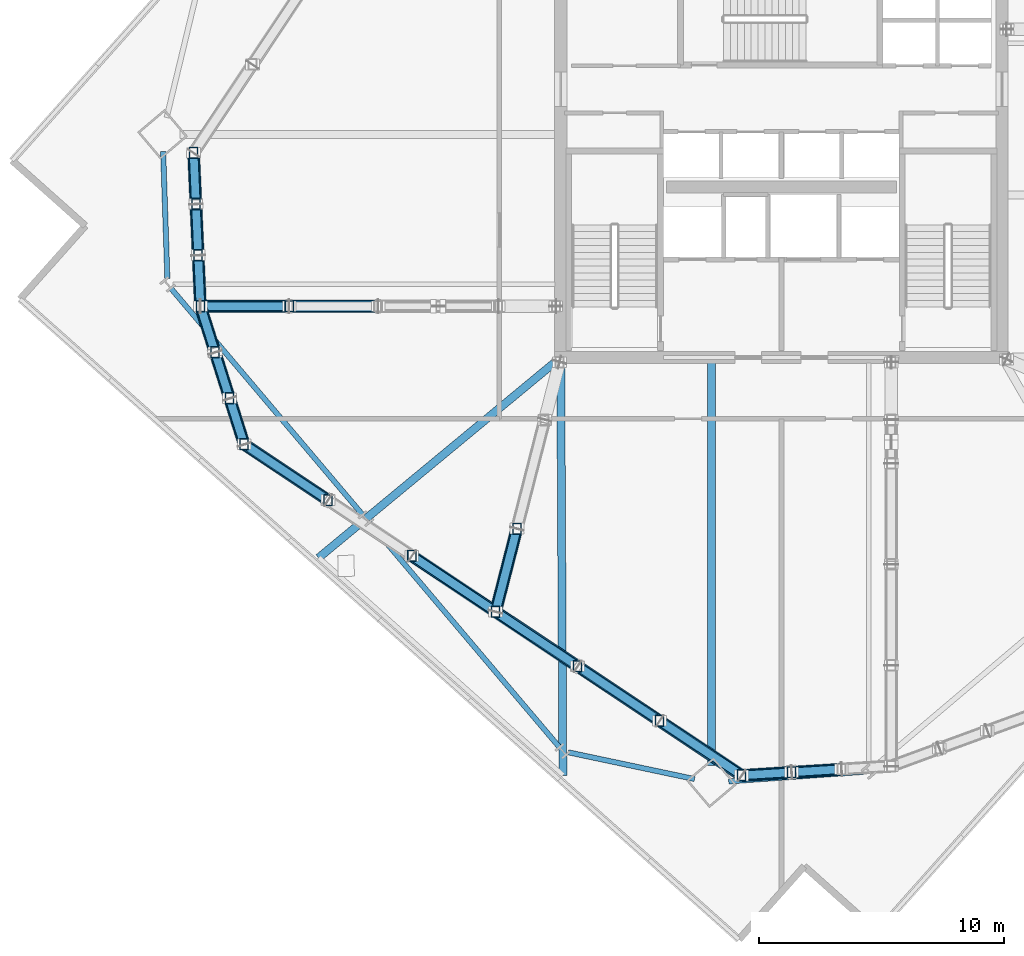
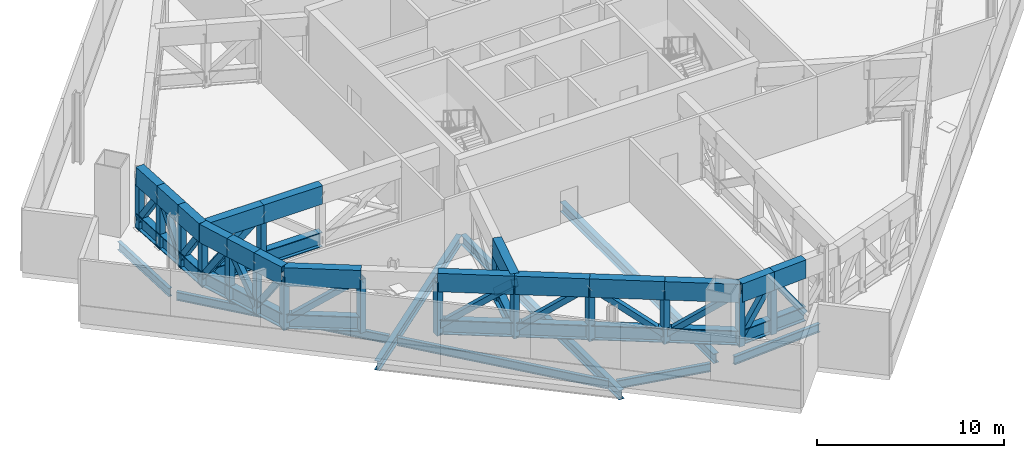
# One storey, part 2 of 18: 63 members, 8 beams.
"""IFC4 building model written with IfcOpenShell, lengths in metres."""

from ifc_helpers import new_model, si_unit, direction, frame, origin, origin_2d, place, context, subcontext, project, spatial, hollow_rectangle, i_section, extrude, material, material_profile, profile_set, type_object, element, save


model = new_model("IFC4")

# Units and contexts
model_context = context("Model", 3, precision=1e-05, world=origin(), true_north=direction((0.0, 1.0)))
body_context = subcontext(model_context, "Body", "Model", "MODEL_VIEW")
ifc_project = project(units=[si_unit("LENGTHUNIT", "METRE"), si_unit("AREAUNIT", "SQUARE_METRE"), si_unit("VOLUMEUNIT", "CUBIC_METRE"), si_unit("PLANEANGLEUNIT", "RADIAN"), si_unit("MASSUNIT", "GRAM", prefix="KILO")], contexts=[model_context])

# Site, building, storey
site_placement = place(None, origin())
site = spatial("IfcSite", under=ifc_project, at=site_placement, CompositionType="ELEMENT")
building_placement = place(site_placement, origin())
building = spatial("IfcBuilding", under=site, at=building_placement, Name="Haldenkirk Collegiate Tower", CompositionType="ELEMENT")
storey_placement = place(building_placement, frame((0.0, 0.0, 189.449951171875)))
storey = spatial("IfcBuildingStorey", under=building, at=storey_placement, Name="L47", CompositionType="ELEMENT", Elevation=189.449951171875)

# Beams
ifc_material_1 = material(Name="Steel ASTM A992 Grade 50", Category="steel")
ifc_material_profile_1 = material_profile(ifc_material_1, i_section(OverallWidth=0.324951171875, OverallDepth=0.615966796875, WebThickness=0.013916015625, FlangeThickness=0.021484375, at=origin_2d()), Name="W24X117")
ifc_profile_set_1 = profile_set([ifc_material_profile_1], Name="Steel ASTM A992 Grade 50")
beam_type_1 = type_object("IfcBeamType", Name="BM-GIRDER-W24X117", PredefinedType="BEAM", material=ifc_profile_set_1)
beam_1_placement = place(storey_placement, frame((33.149169921875, 1.36279296875, -0.718017578125), z_axis=(0.0, 1.0, 0.0), x_axis=(-1.0, 0.0, 0.0)))
element("IfcBeam", 1, at=beam_1_placement, inside=storey, type_object=beam_type_1, Name="L47 primary floor girder 01", PredefinedType="BEAM", context=body_context, shape_type="SweptSolid", body=[
    extrude(i_section(OverallWidth=0.324951171875, OverallDepth=0.615966796875, WebThickness=0.013916015625, FlangeThickness=0.021484375, at=origin_2d()), origin(), (0.0, 0.0, 1.0), 16.4072265625),
])
beam_2_placement = place(storey_placement, frame((17.125244140625, 9.828857421875, -0.718017578125), z_axis=(0.770428156941, 0.63752682688, 0.0), x_axis=(-0.63752682688, 0.770428156941, 0.0)))
element("IfcBeam", 2, at=beam_2_placement, inside=storey, type_object=beam_type_1, Name="L47 primary floor girder 15", PredefinedType="BEAM", context=body_context, shape_type="SweptSolid", body=[
    extrude(i_section(OverallWidth=0.324951171875, OverallDepth=0.615966796875, WebThickness=0.013916015625, FlangeThickness=0.021484375, at=origin_2d()), origin(), (0.0, 0.0, 1.0), 12.587158203125),
])
beam_3_placement = place(storey_placement, frame((27.087890625, 0.952392578125, -0.718017578125), z_axis=(-0.005153448297, 0.999986720897, 0.0), x_axis=(-0.999986720897, -0.005153448297, 0.0)))
element("IfcBeam", 3, at=beam_3_placement, inside=storey, type_object=beam_type_1, Name="L47 primary floor girder 16", PredefinedType="BEAM", context=body_context, shape_type="SweptSolid", body=[
    extrude(i_section(OverallWidth=0.324951171875, OverallDepth=0.615966796875, WebThickness=0.013916015625, FlangeThickness=0.021484375, at=origin_2d()), origin(), (0.0, 0.0, 1.0), 16.81787109375),
])
ifc_material_profile_2 = material_profile(ifc_material_1, i_section(OverallWidth=0.2119140625, OverallDepth=0.5439453125, WebThickness=0.01318359375, FlangeThickness=0.021240234375, at=origin_2d()), Name="W21X83")
ifc_profile_set_2 = profile_set([ifc_material_profile_2], Name="Steel ASTM A992 Grade 50")
beam_type_2 = type_object("IfcBeamType", Name="BM-SPANDREL-W21X83", PredefinedType="SPANDREL", material=ifc_profile_set_2)
beam_4_placement = place(storey_placement, frame((33.852294921875, 0.707763671875, -0.681884765625), z_axis=(0.997489017738, 0.070821320891, 0.0), x_axis=(-0.070821320891, 0.997489017738, 0.0)))
element("IfcBeam", 4, at=beam_4_placement, inside=storey, type_object=beam_type_2, Name="L47 perimeter spandrel beam 01", PredefinedType="SPANDREL", context=body_context, shape_type="SweptSolid", body=[
    extrude(i_section(OverallWidth=0.2119140625, OverallDepth=0.5439453125, WebThickness=0.01318359375, FlangeThickness=0.021240234375, at=origin_2d()), origin(), (0.0, 0.0, 1.0), 5.501953125),
])
beam_5_placement = place(storey_placement, frame((10.7841796875, 26.399169921875, -0.681884765625), z_axis=(0.033072037576, -0.999452970545, 0.0), x_axis=(0.999452970545, 0.033072037576, 0.0)))
element("IfcBeam", 5, at=beam_5_placement, inside=storey, type_object=beam_type_2, Name="L47 perimeter spandrel beam 13", PredefinedType="SPANDREL", context=body_context, shape_type="SweptSolid", body=[
    extrude(i_section(OverallWidth=0.2119140625, OverallDepth=0.5439453125, WebThickness=0.01318359375, FlangeThickness=0.021240234375, at=origin_2d()), origin(), (0.0, 0.0, 1.0), 5.189697265625),
])
beam_6_placement = place(storey_placement, frame((11.111328125, 20.80859375, -0.681884765625), z_axis=(0.646126367676, -0.763230448157, 0.0), x_axis=(0.763230448157, 0.646126367676, 0.0)))
element("IfcBeam", 6, at=beam_6_placement, inside=storey, type_object=beam_type_2, Name="L47 perimeter spandrel beam 14", PredefinedType="SPANDREL", context=body_context, shape_type="SweptSolid", body=[
    extrude(i_section(OverallWidth=0.2119140625, OverallDepth=0.5439453125, WebThickness=0.01318359375, FlangeThickness=0.021240234375, at=origin_2d()), origin(), (0.0, 0.0, 1.0), 12.06494140625),
])
beam_7_placement = place(storey_placement, frame((19.202880859375, 11.250732421875, -0.681884765625), z_axis=(0.646115074743, -0.763240008248, 0.0), x_axis=(0.763240008248, 0.646115074743, 0.0)))
element("IfcBeam", 7, at=beam_7_placement, inside=storey, type_object=beam_type_2, Name="L47 perimeter spandrel beam 15", PredefinedType="SPANDREL", context=body_context, shape_type="SweptSolid", body=[
    extrude(i_section(OverallWidth=0.2119140625, OverallDepth=0.5439453125, WebThickness=0.01318359375, FlangeThickness=0.021240234375, at=origin_2d()), origin(), (0.0, 0.0, 1.0), 11.966796875),
])
beam_8_placement = place(storey_placement, frame((27.306884765625, 1.89501953125, -0.681884765625), z_axis=(0.978307627668, -0.207157393416, 0.0), x_axis=(0.207157393416, 0.978307627668, 0.0)))
element("IfcBeam", 8, at=beam_8_placement, inside=storey, type_object=beam_type_2, Name="L47 perimeter spandrel beam 16", PredefinedType="SPANDREL", context=body_context, shape_type="SweptSolid", body=[
    extrude(i_section(OverallWidth=0.2119140625, OverallDepth=0.5439453125, WebThickness=0.01318359375, FlangeThickness=0.021240234375, at=origin_2d()), origin(), (0.0, 0.0, 1.0), 5.266845703125),
])

# Members
ifc_material_2 = material(Name="Steel ASTM A572 Grade 50", Category="steel")
ifc_material_profile_3 = material_profile(ifc_material_2, hollow_rectangle(XDim=0.5, YDim=1.199951171875, WallThickness=0.050048828125, at=origin_2d()), Name="BOX1200X500X50")
ifc_profile_set_3 = profile_set([ifc_material_profile_3], Name="Steel ASTM A572 Grade 50")
member_type_1 = type_object("IfcMemberType", Name="MBR-CHORD-BOX1200", PredefinedType="CHORD", material=ifc_profile_set_3)
for number, where, z_axis, x_axis, name in (
    (9, (19.55224609375, 20.089599609375, 3.489990234375), (-1.0, 0.0, 0.0), (0.0, -1.0, 0.0), "Outrigger Truss L47 Radial 04 top chord 3"),
    (10, (15.928466796875, 20.089599609375, 3.489990234375), (-1.0, 0.0, 0.0), (0.0, -1.0, 0.0), "Outrigger Truss L47 Radial 04 top chord 4"),
):
    element("IfcMember", number, at=place(storey_placement, frame(where, z_axis=z_axis, x_axis=x_axis)), inside=storey, type_object=member_type_1, Name=name, PredefinedType="CHORD", context=body_context, shape_type="SweptSolid", body=[
        extrude(hollow_rectangle(XDim=0.5, YDim=1.199951171875, WallThickness=0.050048828125, at=origin_2d()), origin(), (0.0, 0.0, 1.0), 3.623779296875),
    ])
member_1_placement = place(storey_placement, frame((25.21240234375, 11.02294921875, 3.489990234375), z_axis=(-0.248241134653, -0.968698270395, 0.0), x_axis=(0.968698270395, -0.248241134653, 0.0)))
element("IfcMember", 11, at=member_1_placement, inside=storey, type_object=member_type_1, Name="Outrigger Truss L47 Radial 08 top chord 3", PredefinedType="CHORD", context=body_context, shape_type="SweptSolid", body=[
    extrude(hollow_rectangle(XDim=0.5, YDim=1.199951171875, WallThickness=0.050048828125, at=origin_2d()), origin(), (0.0, 0.0, 1.0), 3.501220703125),
])
member_2_placement = place(storey_placement, frame((12.025146484375, 26.34716796875, 3.489990234375), z_axis=(0.044665118208, -0.999002015621, 0.0), x_axis=(0.999002015621, 0.044665118208, 0.0)))
element("IfcMember", 12, at=member_2_placement, inside=storey, type_object=member_type_1, Name="Belt Truss L47-12 top chord 1", PredefinedType="CHORD", context=body_context, shape_type="SweptSolid", body=[
    extrude(hollow_rectangle(XDim=0.5, YDim=1.199951171875, WallThickness=0.050048828125, at=origin_2d()), origin(), (0.0, 0.0, 1.0), 2.088134765625),
])
member_3_placement = place(storey_placement, frame((12.118408203125, 24.26123046875, 3.489990234375), z_axis=(0.044553630423, -0.999006993978, 0.0), x_axis=(0.999006993978, 0.044553630423, 0.0)))
element("IfcMember", 13, at=member_3_placement, inside=storey, type_object=member_type_1, Name="Belt Truss L47-12 top chord 2", PredefinedType="CHORD", context=body_context, shape_type="SweptSolid", body=[
    extrude(hollow_rectangle(XDim=0.5, YDim=1.199951171875, WallThickness=0.050048828125, at=origin_2d()), origin(), (0.0, 0.0, 1.0), 2.087646484375),
])
member_4_placement = place(storey_placement, frame((12.21142578125, 22.175537109375, 3.489990234375), z_axis=(0.044665118208, -0.999002015621, 0.0), x_axis=(0.999002015621, 0.044665118208, 0.0)))
element("IfcMember", 14, at=member_4_placement, inside=storey, type_object=member_type_1, Name="Belt Truss L47-12 top chord 3", PredefinedType="CHORD", context=body_context, shape_type="SweptSolid", body=[
    extrude(hollow_rectangle(XDim=0.5, YDim=1.199951171875, WallThickness=0.050048828125, at=origin_2d()), origin(), (0.0, 0.0, 1.0), 2.088134765625),
])
member_5_placement = place(storey_placement, frame((12.3046875, 20.089599609375, 3.489990234375), z_axis=(0.301908607711, -0.953336872564, 0.0), x_axis=(0.953336872564, 0.301908607711, 0.0)))
element("IfcMember", 15, at=member_5_placement, inside=storey, type_object=member_type_1, Name="Belt Truss L47-13 top chord 1", PredefinedType="CHORD", context=body_context, shape_type="SweptSolid", body=[
    extrude(hollow_rectangle(XDim=0.5, YDim=1.199951171875, WallThickness=0.050048828125, at=origin_2d()), origin(), (0.0, 0.0, 1.0), 1.968994140625),
])
member_6_placement = place(storey_placement, frame((12.899169921875, 18.21240234375, 3.489990234375), z_axis=(0.301949909859, -0.95332379176, 0.0), x_axis=(0.95332379176, 0.301949909859, 0.0)))
element("IfcMember", 16, at=member_6_placement, inside=storey, type_object=member_type_1, Name="Belt Truss L47-13 top chord 2", PredefinedType="CHORD", context=body_context, shape_type="SweptSolid", body=[
    extrude(hollow_rectangle(XDim=0.5, YDim=1.199951171875, WallThickness=0.050048828125, at=origin_2d()), origin(), (0.0, 0.0, 1.0), 1.9697265625),
])
member_7_placement = place(storey_placement, frame((13.493896484375, 16.334716796875, 3.489990234375), z_axis=(0.301908607711, -0.953336872564, 0.0), x_axis=(0.953336872564, 0.301908607711, 0.0)))
element("IfcMember", 17, at=member_7_placement, inside=storey, type_object=member_type_1, Name="Belt Truss L47-13 top chord 3", PredefinedType="CHORD", context=body_context, shape_type="SweptSolid", body=[
    extrude(hollow_rectangle(XDim=0.5, YDim=1.199951171875, WallThickness=0.050048828125, at=origin_2d()), origin(), (0.0, 0.0, 1.0), 1.968994140625),
])
member_8_placement = place(storey_placement, frame((14.08837890625, 14.45751953125, 3.489990234375), z_axis=(0.832425099307, -0.55413757682, 0.0), x_axis=(0.55413757682, 0.832425099307, 0.0)))
element("IfcMember", 18, at=member_8_placement, inside=storey, type_object=member_type_1, Name="Belt Truss L47-14 top chord 1", PredefinedType="CHORD", context=body_context, shape_type="SweptSolid", body=[
    extrude(hollow_rectangle(XDim=0.5, YDim=1.199951171875, WallThickness=0.050048828125, at=origin_2d()), origin(), (0.0, 0.0, 1.0), 4.106689453125),
])
member_9_placement = place(storey_placement, frame((20.925048828125, 9.90673828125, 3.489990234375), z_axis=(0.832434267776, -0.554123803705, 0.0), x_axis=(0.554123803705, 0.832434267776, 0.0)))
element("IfcMember", 19, at=member_9_placement, inside=storey, type_object=member_type_1, Name="Belt Truss L47-14 top chord 3", PredefinedType="CHORD", context=body_context, shape_type="SweptSolid", body=[
    extrude(hollow_rectangle(XDim=0.5, YDim=1.199951171875, WallThickness=0.050048828125, at=origin_2d()), origin(), (0.0, 0.0, 1.0), 4.106201171875),
])
for number, where, z_axis, x_axis, name in (
    (20, (24.34326171875, 7.63134765625, 3.489990234375), (0.832433388909, -0.554125123984, 0.0), (0.554125123984, 0.832433388909, 0.0), "Belt Truss L47-15 top chord 1"),
    (21, (27.687744140625, 5.405029296875, 3.489990234375), (0.832433388909, -0.554125123984, 0.0), (0.554125123984, 0.832433388909, 0.0), "Belt Truss L47-15 top chord 2"),
    (22, (31.0322265625, 3.1787109375, 3.489990234375), (0.832433388909, -0.554125123984, 0.0), (0.554125123984, 0.832433388909, 0.0), "Belt Truss L47-15 top chord 3"),
):
    element("IfcMember", number, at=place(storey_placement, frame(where, z_axis=z_axis, x_axis=x_axis)), inside=storey, type_object=member_type_1, Name=name, PredefinedType="CHORD", context=body_context, shape_type="SweptSolid", body=[
        extrude(hollow_rectangle(XDim=0.5, YDim=1.199951171875, WallThickness=0.050048828125, at=origin_2d()), origin(), (0.0, 0.0, 1.0), 4.017822265625),
    ])
member_10_placement = place(storey_placement, frame((34.376708984375, 0.952392578125, 3.489990234375), z_axis=(0.998060489304, 0.062251583836, 0.0), x_axis=(-0.062251583836, 0.998060489304, 0.0)))
element("IfcMember", 23, at=member_10_placement, inside=storey, type_object=member_type_1, Name="Belt Truss L47-16 top chord 1", PredefinedType="CHORD", context=body_context, shape_type="SweptSolid", body=[
    extrude(hollow_rectangle(XDim=0.5, YDim=1.199951171875, WallThickness=0.050048828125, at=origin_2d()), origin(), (0.0, 0.0, 1.0), 2.039306640625),
])
member_11_placement = place(storey_placement, frame((36.412109375, 1.079345703125, 3.489990234375), z_axis=(0.998067457968, 0.06213975656, 0.0), x_axis=(-0.06213975656, 0.998067457968, 0.0)))
element("IfcMember", 24, at=member_11_placement, inside=storey, type_object=member_type_1, Name="Belt Truss L47-16 top chord 2", PredefinedType="CHORD", context=body_context, shape_type="SweptSolid", body=[
    extrude(hollow_rectangle(XDim=0.5, YDim=1.199951171875, WallThickness=0.050048828125, at=origin_2d()), origin(), (0.0, 0.0, 1.0), 2.0390625),
])
ifc_material_3 = material(Name="Steel ASTM A913 Grade 65", Category="steel")
ifc_material_profile_4 = material_profile(ifc_material_3, i_section(OverallWidth=0.423095703125, OverallDepth=0.947998046875, WebThickness=0.02392578125, FlangeThickness=0.042724609375, at=origin_2d()), Name="W36X302")
ifc_profile_set_4 = profile_set([ifc_material_profile_4], Name="Steel ASTM A913 Grade 65")
member_type_2 = type_object("IfcMemberType", Name="MBR-CHORD-W36X302", PredefinedType="CHORD", material=ifc_profile_set_4)
for number, where, z_axis, x_axis, name in (
    (25, (19.55224609375, 20.089599609375, 0.550048828125), (-1.0, 0.0, 0.0), (0.0, -1.0, 0.0), "Outrigger Truss L47 Radial 04 bottom chord 3"),
    (26, (15.928466796875, 20.089599609375, 0.550048828125), (-1.0, 0.0, 0.0), (0.0, -1.0, 0.0), "Outrigger Truss L47 Radial 04 bottom chord 4"),
):
    element("IfcMember", number, at=place(storey_placement, frame(where, z_axis=z_axis, x_axis=x_axis)), inside=storey, type_object=member_type_2, Name=name, PredefinedType="CHORD", context=body_context, shape_type="SweptSolid", body=[
        extrude(i_section(OverallWidth=0.423095703125, OverallDepth=0.947998046875, WebThickness=0.02392578125, FlangeThickness=0.042724609375, at=origin_2d()), origin(), (0.0, 0.0, 1.0), 3.623779296875),
    ])
member_12_placement = place(storey_placement, frame((25.21240234375, 11.02294921875, 0.550048828125), z_axis=(-0.248241134653, -0.968698270395, 0.0), x_axis=(0.968698270395, -0.248241134653, 0.0)))
element("IfcMember", 27, at=member_12_placement, inside=storey, type_object=member_type_2, Name="Outrigger Truss L47 Radial 08 bottom chord 3", PredefinedType="CHORD", context=body_context, shape_type="SweptSolid", body=[
    extrude(i_section(OverallWidth=0.423095703125, OverallDepth=0.947998046875, WebThickness=0.02392578125, FlangeThickness=0.042724609375, at=origin_2d()), origin(), (0.0, 0.0, 1.0), 3.501220703125),
])
member_13_placement = place(storey_placement, frame((12.025146484375, 26.34716796875, 0.550048828125), z_axis=(0.044665118208, -0.999002015621, 0.0), x_axis=(0.999002015621, 0.044665118208, 0.0)))
element("IfcMember", 28, at=member_13_placement, inside=storey, type_object=member_type_2, Name="Belt Truss L47-12 bottom chord 1", PredefinedType="CHORD", context=body_context, shape_type="SweptSolid", body=[
    extrude(i_section(OverallWidth=0.423095703125, OverallDepth=0.947998046875, WebThickness=0.02392578125, FlangeThickness=0.042724609375, at=origin_2d()), origin(), (0.0, 0.0, 1.0), 2.088134765625),
])
member_14_placement = place(storey_placement, frame((12.118408203125, 24.26123046875, 0.550048828125), z_axis=(0.044553630423, -0.999006993978, 0.0), x_axis=(0.999006993978, 0.044553630423, 0.0)))
element("IfcMember", 29, at=member_14_placement, inside=storey, type_object=member_type_2, Name="Belt Truss L47-12 bottom chord 2", PredefinedType="CHORD", context=body_context, shape_type="SweptSolid", body=[
    extrude(i_section(OverallWidth=0.423095703125, OverallDepth=0.947998046875, WebThickness=0.02392578125, FlangeThickness=0.042724609375, at=origin_2d()), origin(), (0.0, 0.0, 1.0), 2.087646484375),
])
member_15_placement = place(storey_placement, frame((12.21142578125, 22.175537109375, 0.550048828125), z_axis=(0.044665118208, -0.999002015621, 0.0), x_axis=(0.999002015621, 0.044665118208, 0.0)))
element("IfcMember", 30, at=member_15_placement, inside=storey, type_object=member_type_2, Name="Belt Truss L47-12 bottom chord 3", PredefinedType="CHORD", context=body_context, shape_type="SweptSolid", body=[
    extrude(i_section(OverallWidth=0.423095703125, OverallDepth=0.947998046875, WebThickness=0.02392578125, FlangeThickness=0.042724609375, at=origin_2d()), origin(), (0.0, 0.0, 1.0), 2.088134765625),
])
member_16_placement = place(storey_placement, frame((12.3046875, 20.089599609375, 0.550048828125), z_axis=(0.301908607711, -0.953336872564, 0.0), x_axis=(0.953336872564, 0.301908607711, 0.0)))
element("IfcMember", 31, at=member_16_placement, inside=storey, type_object=member_type_2, Name="Belt Truss L47-13 bottom chord 1", PredefinedType="CHORD", context=body_context, shape_type="SweptSolid", body=[
    extrude(i_section(OverallWidth=0.423095703125, OverallDepth=0.947998046875, WebThickness=0.02392578125, FlangeThickness=0.042724609375, at=origin_2d()), origin(), (0.0, 0.0, 1.0), 1.968994140625),
])
member_17_placement = place(storey_placement, frame((12.899169921875, 18.21240234375, 0.550048828125), z_axis=(0.301949909859, -0.95332379176, 0.0), x_axis=(0.95332379176, 0.301949909859, 0.0)))
element("IfcMember", 32, at=member_17_placement, inside=storey, type_object=member_type_2, Name="Belt Truss L47-13 bottom chord 2", PredefinedType="CHORD", context=body_context, shape_type="SweptSolid", body=[
    extrude(i_section(OverallWidth=0.423095703125, OverallDepth=0.947998046875, WebThickness=0.02392578125, FlangeThickness=0.042724609375, at=origin_2d()), origin(), (0.0, 0.0, 1.0), 1.9697265625),
])
member_18_placement = place(storey_placement, frame((13.493896484375, 16.334716796875, 0.550048828125), z_axis=(0.301908607711, -0.953336872564, 0.0), x_axis=(0.953336872564, 0.301908607711, 0.0)))
element("IfcMember", 33, at=member_18_placement, inside=storey, type_object=member_type_2, Name="Belt Truss L47-13 bottom chord 3", PredefinedType="CHORD", context=body_context, shape_type="SweptSolid", body=[
    extrude(i_section(OverallWidth=0.423095703125, OverallDepth=0.947998046875, WebThickness=0.02392578125, FlangeThickness=0.042724609375, at=origin_2d()), origin(), (0.0, 0.0, 1.0), 1.968994140625),
])
member_19_placement = place(storey_placement, frame((14.08837890625, 14.45751953125, 0.550048828125), z_axis=(0.832425099307, -0.55413757682, 0.0), x_axis=(0.55413757682, 0.832425099307, 0.0)))
element("IfcMember", 34, at=member_19_placement, inside=storey, type_object=member_type_2, Name="Belt Truss L47-14 bottom chord 1", PredefinedType="CHORD", context=body_context, shape_type="SweptSolid", body=[
    extrude(i_section(OverallWidth=0.423095703125, OverallDepth=0.947998046875, WebThickness=0.02392578125, FlangeThickness=0.042724609375, at=origin_2d()), origin(), (0.0, 0.0, 1.0), 4.106689453125),
])
member_20_placement = place(storey_placement, frame((20.925048828125, 9.90673828125, 0.550048828125), z_axis=(0.832434267776, -0.554123803705, 0.0), x_axis=(0.554123803705, 0.832434267776, 0.0)))
element("IfcMember", 35, at=member_20_placement, inside=storey, type_object=member_type_2, Name="Belt Truss L47-14 bottom chord 3", PredefinedType="CHORD", context=body_context, shape_type="SweptSolid", body=[
    extrude(i_section(OverallWidth=0.423095703125, OverallDepth=0.947998046875, WebThickness=0.02392578125, FlangeThickness=0.042724609375, at=origin_2d()), origin(), (0.0, 0.0, 1.0), 4.106201171875),
])
for number, where, z_axis, x_axis, name in (
    (36, (24.34326171875, 7.63134765625, 0.550048828125), (0.832433388909, -0.554125123984, 0.0), (0.554125123984, 0.832433388909, 0.0), "Belt Truss L47-15 bottom chord 1"),
    (37, (27.687744140625, 5.405029296875, 0.550048828125), (0.832433388909, -0.554125123984, 0.0), (0.554125123984, 0.832433388909, 0.0), "Belt Truss L47-15 bottom chord 2"),
    (38, (31.0322265625, 3.1787109375, 0.550048828125), (0.832433388909, -0.554125123984, 0.0), (0.554125123984, 0.832433388909, 0.0), "Belt Truss L47-15 bottom chord 3"),
):
    element("IfcMember", number, at=place(storey_placement, frame(where, z_axis=z_axis, x_axis=x_axis)), inside=storey, type_object=member_type_2, Name=name, PredefinedType="CHORD", context=body_context, shape_type="SweptSolid", body=[
        extrude(i_section(OverallWidth=0.423095703125, OverallDepth=0.947998046875, WebThickness=0.02392578125, FlangeThickness=0.042724609375, at=origin_2d()), origin(), (0.0, 0.0, 1.0), 4.017822265625),
    ])
member_21_placement = place(storey_placement, frame((34.376708984375, 0.952392578125, 0.550048828125), z_axis=(0.998060489304, 0.062251583836, 0.0), x_axis=(-0.062251583836, 0.998060489304, 0.0)))
element("IfcMember", 39, at=member_21_placement, inside=storey, type_object=member_type_2, Name="Belt Truss L47-16 bottom chord 1", PredefinedType="CHORD", context=body_context, shape_type="SweptSolid", body=[
    extrude(i_section(OverallWidth=0.423095703125, OverallDepth=0.947998046875, WebThickness=0.02392578125, FlangeThickness=0.042724609375, at=origin_2d()), origin(), (0.0, 0.0, 1.0), 2.039306640625),
])
member_22_placement = place(storey_placement, frame((36.412109375, 1.079345703125, 0.550048828125), z_axis=(0.998067457968, 0.06213975656, 0.0), x_axis=(-0.06213975656, 0.998067457968, 0.0)))
element("IfcMember", 40, at=member_22_placement, inside=storey, type_object=member_type_2, Name="Belt Truss L47-16 bottom chord 2", PredefinedType="CHORD", context=body_context, shape_type="SweptSolid", body=[
    extrude(i_section(OverallWidth=0.423095703125, OverallDepth=0.947998046875, WebThickness=0.02392578125, FlangeThickness=0.042724609375, at=origin_2d()), origin(), (0.0, 0.0, 1.0), 2.0390625),
])
ifc_material_profile_5 = material_profile(ifc_material_2, hollow_rectangle(XDim=0.35009765625, YDim=0.35009765625, WallThickness=0.01611328125, at=origin_2d()), Name="HSS350X350X16")
ifc_profile_set_5 = profile_set([ifc_material_profile_5], Name="Steel ASTM A572 Grade 50")
member_type_3 = type_object("IfcMemberType", Name="MBR-TRUSSDIAG-HSS350X350X16", PredefinedType="BRACE", material=ifc_profile_set_5)
member_23_placement = place(storey_placement, frame((12.025146484375, 26.34716796875, 0.550048828125), z_axis=(0.025863074819, -0.578466259818, 0.815296196246), x_axis=(0.999002015621, 0.044665118208, 0.0)))
element("IfcMember", 41, at=member_23_placement, inside=storey, type_object=member_type_3, Name="Belt Truss L47-12 web diagonal 1", PredefinedType="BRACE", context=body_context, shape_type="SweptSolid", body=[
    extrude(hollow_rectangle(XDim=0.35009765625, YDim=0.35009765625, WallThickness=0.01611328125, at=origin_2d()), origin(), (0.0, 0.0, 1.0), 3.60595703125),
])
member_24_placement = place(storey_placement, frame((12.118408203125, 24.26123046875, 3.489990234375), z_axis=(0.025796425818, -0.578422219843, -0.815329553008), x_axis=(0.999006993978, 0.044553630423, 0.0)))
element("IfcMember", 42, at=member_24_placement, inside=storey, type_object=member_type_3, Name="Belt Truss L47-12 web diagonal 2", PredefinedType="BRACE", context=body_context, shape_type="SweptSolid", body=[
    extrude(hollow_rectangle(XDim=0.35009765625, YDim=0.35009765625, WallThickness=0.01611328125, at=origin_2d()), origin(), (0.0, 0.0, 1.0), 3.605712890625),
])
member_25_placement = place(storey_placement, frame((12.21142578125, 22.175537109375, 0.550048828125), z_axis=(0.025863074819, -0.578466259818, 0.815296196246), x_axis=(0.999002015621, 0.044665118208, 0.0)))
element("IfcMember", 43, at=member_25_placement, inside=storey, type_object=member_type_3, Name="Belt Truss L47-12 web diagonal 3", PredefinedType="BRACE", context=body_context, shape_type="SweptSolid", body=[
    extrude(hollow_rectangle(XDim=0.35009765625, YDim=0.35009765625, WallThickness=0.01611328125, at=origin_2d()), origin(), (0.0, 0.0, 1.0), 3.60595703125),
])
member_26_placement = place(storey_placement, frame((12.3046875, 20.089599609375, 0.550048828125), z_axis=(0.168007080391, -0.530515992249, 0.830858834524), x_axis=(0.953336872564, 0.301908607711, 0.0)))
element("IfcMember", 44, at=member_26_placement, inside=storey, type_object=member_type_3, Name="Belt Truss L47-13 web diagonal 1", PredefinedType="BRACE", context=body_context, shape_type="SweptSolid", body=[
    extrude(hollow_rectangle(XDim=0.35009765625, YDim=0.35009765625, WallThickness=0.01611328125, at=origin_2d()), origin(), (0.0, 0.0, 1.0), 3.538330078125),
])
member_27_placement = place(storey_placement, frame((12.899169921875, 18.21240234375, 3.489990234375), z_axis=(0.168061824151, -0.530608985855, -0.830788377021), x_axis=(0.95332379176, 0.301949909859, 0.0)))
element("IfcMember", 45, at=member_27_placement, inside=storey, type_object=member_type_3, Name="Belt Truss L47-13 web diagonal 2", PredefinedType="BRACE", context=body_context, shape_type="SweptSolid", body=[
    extrude(hollow_rectangle(XDim=0.35009765625, YDim=0.35009765625, WallThickness=0.01611328125, at=origin_2d()), origin(), (0.0, 0.0, 1.0), 3.538818359375),
])
member_28_placement = place(storey_placement, frame((13.493896484375, 16.334716796875, 0.550048828125), z_axis=(0.168007080391, -0.530515992249, 0.830858834524), x_axis=(0.953336872564, 0.301908607711, 0.0)))
element("IfcMember", 46, at=member_28_placement, inside=storey, type_object=member_type_3, Name="Belt Truss L47-13 web diagonal 3", PredefinedType="BRACE", context=body_context, shape_type="SweptSolid", body=[
    extrude(hollow_rectangle(XDim=0.35009765625, YDim=0.35009765625, WallThickness=0.01611328125, at=origin_2d()), origin(), (0.0, 0.0, 1.0), 3.538330078125),
])
member_29_placement = place(storey_placement, frame((14.08837890625, 14.45751953125, 0.550048828125), z_axis=(0.676854276348, -0.450575539912, 0.582108212811), x_axis=(0.55413757682, 0.832425099307, 0.0)))
element("IfcMember", 47, at=member_29_placement, inside=storey, type_object=member_type_3, Name="Belt Truss L47-14 web diagonal 1", PredefinedType="BRACE", context=body_context, shape_type="SweptSolid", body=[
    extrude(hollow_rectangle(XDim=0.35009765625, YDim=0.35009765625, WallThickness=0.01611328125, at=origin_2d()), origin(), (0.0, 0.0, 1.0), 5.050537109375),
])
member_30_placement = place(storey_placement, frame((20.925048828125, 9.90673828125, 0.550048828125), z_axis=(0.676842823717, -0.450551754664, 0.582139938805), x_axis=(0.554123803705, 0.832434267776, 0.0)))
element("IfcMember", 48, at=member_30_placement, inside=storey, type_object=member_type_3, Name="Belt Truss L47-14 web diagonal 3", PredefinedType="BRACE", context=body_context, shape_type="SweptSolid", body=[
    extrude(hollow_rectangle(XDim=0.35009765625, YDim=0.35009765625, WallThickness=0.01611328125, at=origin_2d()), origin(), (0.0, 0.0, 1.0), 5.05029296875),
])
for number, where, z_axis, x_axis, name in (
    (49, (24.34326171875, 7.63134765625, 0.550048828125), (0.671787202459, -0.447187933369, 0.590529344624), (0.554125123984, 0.832433388909, 0.0), "Belt Truss L47-15 web diagonal 1"),
    (50, (27.687744140625, 5.405029296875, 3.489990234375), (0.671787202459, -0.447187933369, -0.590529344624), (0.554125123984, 0.832433388909, 0.0), "Belt Truss L47-15 web diagonal 2"),
    (51, (31.0322265625, 3.1787109375, 0.550048828125), (0.671787202459, -0.447187933369, 0.590529344624), (0.554125123984, 0.832433388909, 0.0), "Belt Truss L47-15 web diagonal 3"),
):
    element("IfcMember", number, at=place(storey_placement, frame(where, z_axis=z_axis, x_axis=x_axis)), inside=storey, type_object=member_type_3, Name=name, PredefinedType="BRACE", context=body_context, shape_type="SweptSolid", body=[
        extrude(hollow_rectangle(XDim=0.35009765625, YDim=0.35009765625, WallThickness=0.01611328125, at=origin_2d()), origin(), (0.0, 0.0, 1.0), 4.978515625),
    ])
member_31_placement = place(storey_placement, frame((34.376708984375, 0.952392578125, 0.550048828125), z_axis=(0.56886221287, 0.035481390271, 0.821667118554), x_axis=(-0.062251583836, 0.998060489304, 0.0)))
element("IfcMember", 52, at=member_31_placement, inside=storey, type_object=member_type_3, Name="Belt Truss L47-16 web diagonal 1", PredefinedType="BRACE", context=body_context, shape_type="SweptSolid", body=[
    extrude(hollow_rectangle(XDim=0.35009765625, YDim=0.35009765625, WallThickness=0.01611328125, at=origin_2d()), origin(), (0.0, 0.0, 1.0), 3.578125),
])
member_32_placement = place(storey_placement, frame((36.412109375, 1.079345703125, 3.489990234375), z_axis=(0.568817433271, 0.035414617067, -0.821700999455), x_axis=(-0.06213975656, 0.998067457968, 0.0)))
element("IfcMember", 53, at=member_32_placement, inside=storey, type_object=member_type_3, Name="Belt Truss L47-16 web diagonal 2", PredefinedType="BRACE", context=body_context, shape_type="SweptSolid", body=[
    extrude(hollow_rectangle(XDim=0.35009765625, YDim=0.35009765625, WallThickness=0.01611328125, at=origin_2d()), origin(), (0.0, 0.0, 1.0), 3.577880859375),
])
ifc_material_profile_6 = material_profile(ifc_material_2, hollow_rectangle(XDim=0.35009765625, YDim=0.449951171875, WallThickness=0.02197265625, at=origin_2d()), Name="HSS450X350X22")
ifc_profile_set_6 = profile_set([ifc_material_profile_6], Name="Steel ASTM A572 Grade 50")
member_type_4 = type_object("IfcMemberType", Name="MBR-TRUSSDIAG-HSS450X350X22", PredefinedType="BRACE", material=ifc_profile_set_6)
member_33_placement = place(storey_placement, frame((15.928466796875, 20.089599609375, 3.489990234375), z_axis=(-0.776573094803, 0.0, -0.630027164833), x_axis=(0.0, -1.0, 0.0)))
element("IfcMember", 54, at=member_33_placement, inside=storey, type_object=member_type_4, Name="Outrigger Truss L47 Radial 04 web diagonal 4", PredefinedType="BRACE", context=body_context, shape_type="SweptSolid", body=[
    extrude(hollow_rectangle(XDim=0.35009765625, YDim=0.449951171875, WallThickness=0.02197265625, at=origin_2d()), origin(), (0.0, 0.0, 1.0), 4.666259765625),
])
member_34_placement = place(storey_placement, frame((25.21240234375, 11.02294921875, 0.550048828125), z_axis=(-0.190107851947, -0.741847831249, 0.643055829535), x_axis=(0.968698270395, -0.248241134653, 0.0)))
element("IfcMember", 55, at=member_34_placement, inside=storey, type_object=member_type_4, Name="Outrigger Truss L47 Radial 08 web diagonal 3", PredefinedType="BRACE", context=body_context, shape_type="SweptSolid", body=[
    extrude(hollow_rectangle(XDim=0.35009765625, YDim=0.449951171875, WallThickness=0.02197265625, at=origin_2d()), origin(), (0.0, 0.0, 1.0), 4.57177734375),
])
ifc_material_profile_7 = material_profile(ifc_material_2, hollow_rectangle(XDim=0.35009765625, YDim=0.449951171875, WallThickness=0.02197265625, at=origin_2d()), Name="HSS450X350X22")
ifc_profile_set_7 = profile_set([ifc_material_profile_7], Name="Steel ASTM A572 Grade 50")
member_type_5 = type_object("IfcMemberType", Name="MBR-TRUSSPOST-HSS450X350X22", PredefinedType="POST", material=ifc_profile_set_7)
for number, where, z_axis, x_axis, name in (
    (56, (15.928466796875, 20.089599609375, 0.0), (0.0, 0.0, 1.0), (1.0, 0.0, 0.0), "Outrigger Truss L47 Radial 04 vertical post 4"),
    (57, (12.3046875, 20.089599609375, 0.0), (0.0, 0.0, 1.0), (1.0, 0.0, 0.0), "Outrigger Truss L47 Radial 04 vertical post 5"),
    (58, (25.21240234375, 11.02294921875, 0.0), (0.0, 0.0, 1.0), (1.0, 0.0, 0.0), "Outrigger Truss L47 Radial 08 vertical post 3"),
    (59, (24.34326171875, 7.63134765625, 0.0), (0.0, 0.0, 1.0), (1.0, 0.0, 0.0), "Outrigger Truss L47 Radial 08 vertical post 4"),
    (60, (12.025146484375, 26.34716796875, 0.0), (0.0, 0.0, 1.0), (1.0, 0.0, 0.0), "Belt Truss L47-11 vertical post 4"),
    (61, (12.118408203125, 24.26123046875, 0.0), (0.0, 0.0, 1.0), (1.0, 0.0, 0.0), "Belt Truss L47-12 vertical post 2"),
    (62, (12.21142578125, 22.175537109375, 0.0), (0.0, 0.0, 1.0), (1.0, 0.0, 0.0), "Belt Truss L47-12 vertical post 3"),
    (63, (12.899169921875, 18.21240234375, 0.0), (0.0, 0.0, 1.0), (1.0, 0.0, 0.0), "Belt Truss L47-13 vertical post 2"),
    (64, (13.493896484375, 16.334716796875, 0.0), (0.0, 0.0, 1.0), (1.0, 0.0, 0.0), "Belt Truss L47-13 vertical post 3"),
    (65, (14.08837890625, 14.45751953125, 0.0), (0.0, 0.0, 1.0), (1.0, 0.0, 0.0), "Belt Truss L47-13 vertical post 4"),
    (66, (17.5068359375, 12.181884765625, 0.0), (0.0, 0.0, 1.0), (1.0, 0.0, 0.0), "Belt Truss L47-14 vertical post 2"),
    (67, (20.925048828125, 9.90673828125, 0.0), (0.0, 0.0, 1.0), (1.0, 0.0, 0.0), "Belt Truss L47-14 vertical post 3"),
    (68, (27.687744140625, 5.405029296875, 0.0), (0.0, 0.0, 1.0), (1.0, 0.0, 0.0), "Belt Truss L47-15 vertical post 2"),
    (69, (31.0322265625, 3.1787109375, 0.0), (0.0, 0.0, 1.0), (1.0, 0.0, 0.0), "Belt Truss L47-15 vertical post 3"),
    (70, (34.376708984375, 0.952392578125, 0.0), (0.0, 0.0, 1.0), (1.0, 0.0, 0.0), "Belt Truss L47-15 vertical post 4"),
    (71, (36.412109375, 1.079345703125, 0.0), (0.0, 0.0, 1.0), (1.0, 0.0, 0.0), "Belt Truss L47-16 vertical post 2"),
):
    element("IfcMember", number, at=place(storey_placement, frame(where, z_axis=z_axis, x_axis=x_axis)), inside=storey, type_object=member_type_5, Name=name, PredefinedType="POST", context=body_context, shape_type="SweptSolid", body=[
        extrude(hollow_rectangle(XDim=0.35009765625, YDim=0.449951171875, WallThickness=0.02197265625, at=origin_2d()), origin(), (0.0, 0.0, 1.0), 3.489990234375),
    ])

save(model, "model.ifc")
